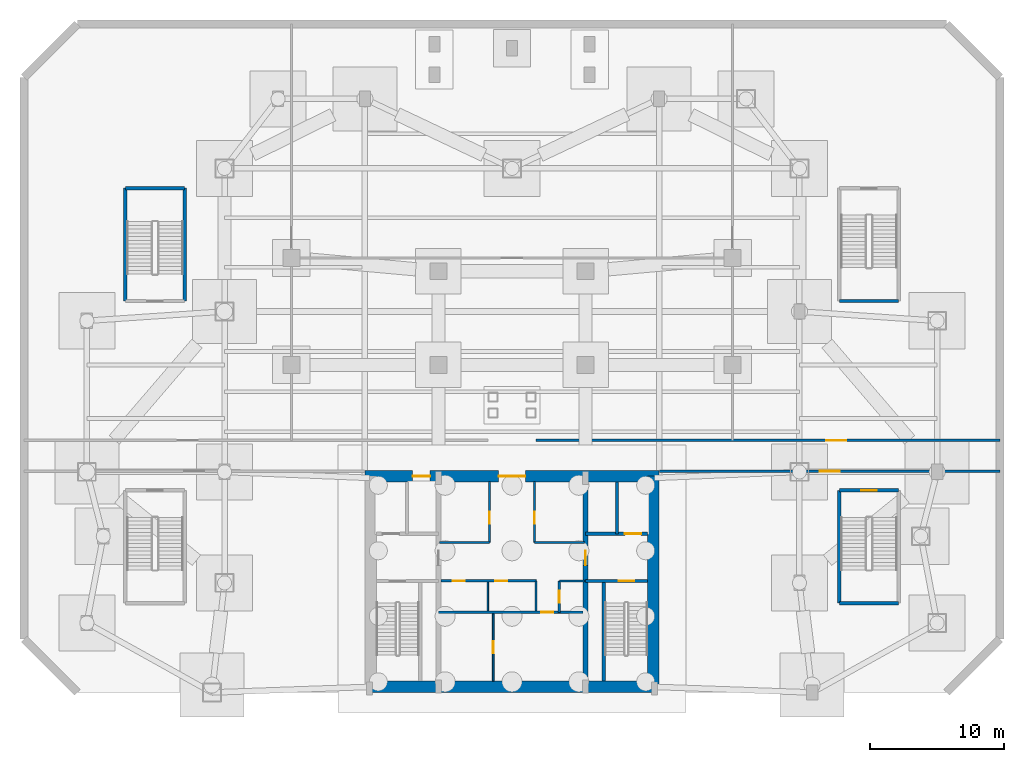
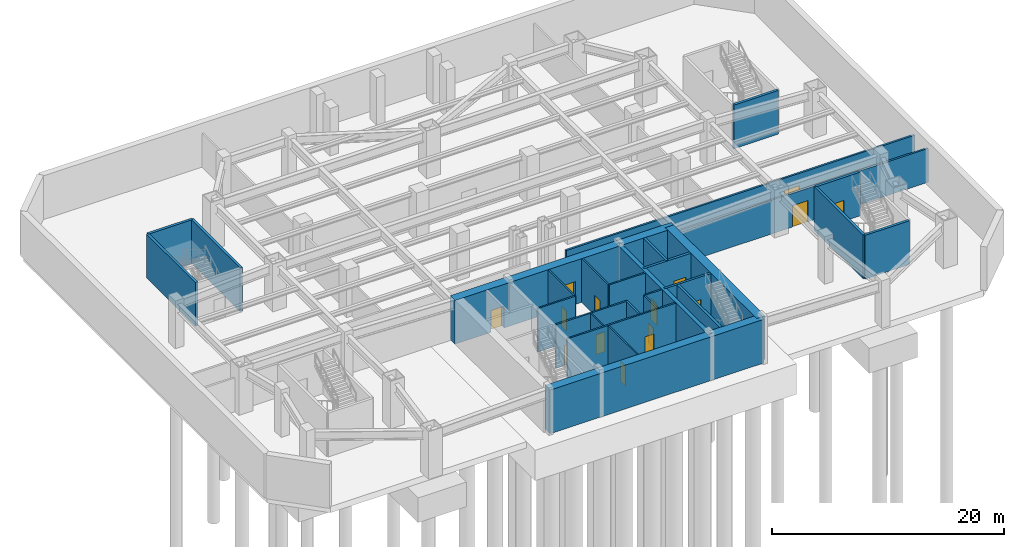
# One storey, part 4 of 7: 28 walls, 15 doors, 15 openings.
"""IFC4 building model written with IfcOpenShell, lengths in metres."""

from ifc_helpers import new_model, si_unit, direction, frame, frame_2d, origin, place, context, subcontext, project, spatial, rectangle, extrude, source, transform, mapped, material, layer, layer_set, type_object, type_shapes, element, fill, save


model = new_model("IFC4")

# Units and contexts
model_context = context("Model", 3, precision=1e-05, world=origin(), true_north=direction((0.0, 1.0)))
body_context = subcontext(model_context, "Body", "Model", "MODEL_VIEW")
ifc_project = project(units=[si_unit("LENGTHUNIT", "METRE"), si_unit("AREAUNIT", "SQUARE_METRE"), si_unit("VOLUMEUNIT", "CUBIC_METRE"), si_unit("PLANEANGLEUNIT", "RADIAN"), si_unit("MASSUNIT", "GRAM", prefix="KILO")], contexts=[model_context])

# Site, building, storey
site_placement = place(None, origin())
site = spatial("IfcSite", under=ifc_project, at=site_placement, CompositionType="ELEMENT")
building_placement = place(site_placement, origin())
building = spatial("IfcBuilding", under=site, at=building_placement, Name="Varnakhor Terracotta Tower", CompositionType="ELEMENT")
storey_placement = place(building_placement, frame((0.0, 0.0, -10.0)))
storey = spatial("IfcBuildingStorey", under=building, at=storey_placement, Name="B02", CompositionType="ELEMENT", Elevation=-10.0)

# Wall
ifc_material_1 = material(Name="Concrete C60/75", Category="concrete")
ifc_layer_1 = layer(ifc_material_1, 0.85009765625, Name="Concrete C60/75")
ifc_layer_set_1 = layer_set([ifc_layer_1], Name="Concrete C60/75")
wall_type_1 = type_object("IfcWallType", Name="WAL-CORE-850", PredefinedType="SHEAR", material=ifc_layer_set_1)
wall_1_placement = place(storey_placement, frame((-10.64990234375, 0.425048828125, 0.0), z_axis=(0.0, 0.0, 1.0), x_axis=(1.0, 0.0, 0.0)))
element("IfcWall", 1, at=wall_1_placement, inside=storey, type_object=wall_type_1, Name="B02 South Core Shear Wall", PredefinedType="SHEAR", context=body_context, shape_type="SweptSolid", body=[
    extrude(rectangle(XDim=21.2998046875, YDim=0.85009765625, at=frame_2d((10.64990234375, 0.0))), origin(), (0.0, 0.0, 1.0), 4.60009765625),
])

# Wall, openings, doors
wall_2_placement = place(storey_placement, frame((-11.0, 16.175048828125, 0.0), z_axis=(0.0, 0.0, 1.0), x_axis=(1.0, 0.0, 0.0)))
wall_2 = element("IfcWall", 2, at=wall_2_placement, inside=storey, type_object=wall_type_1, Name="B02 North Core Shear Wall", PredefinedType="SHEAR", context=body_context, shape_type="SweptSolid", body=[
    extrude(rectangle(XDim=22.0, YDim=0.85009765625, at=frame_2d((11.0, 0.0))), origin(), (0.0, 0.0, 1.0), 4.60009765625),
])
opening_1_placement = place(wall_2_placement, frame((3.570068359375, 0.0, 0.0)))
opening_1 = element("IfcOpeningElement", 3, at=opening_1_placement, cuts=wall_2, Name="Opening LD-03", PredefinedType="OPENING", context=body_context, shape_type="SweptSolid", body=[
    extrude(rectangle(XDim=1.300048828125, YDim=2.300048828125, at=frame_2d((0.64990234375, 1.14990234375))), frame((0.0, 0.43505859375, 0.0), z_axis=(0.0, -1.0, 0.0), x_axis=(1.0, 0.0, 0.0)), (0.0, 0.0, 1.0), 0.8701171875),
])
opening_2_placement = place(wall_2_placement, frame((10.0, 0.0, 0.0)))
opening_2 = element("IfcOpeningElement", 4, at=opening_2_placement, cuts=wall_2, Name="Opening DR-32", PredefinedType="OPENING", context=body_context, shape_type="SweptSolid", body=[
    extrude(rectangle(XDim=2.0, YDim=2.39990234375, at=frame_2d((1.0, 1.199951171875))), frame((0.0, 0.43505859375, 0.0), z_axis=(0.0, -1.0, 0.0), x_axis=(1.0, 0.0, 0.0)), (0.0, 0.0, 1.0), 0.8701171875),
])
ifc_material_2 = material(Name="Heavy-Duty Goods Sliding Lift Landing Door", Category="steel")
door_type_1 = type_object("IfcDoorType", Name="LD-SRV-1300X2300", OperationType="NOTDEFINED", PredefinedType="DOOR", material=ifc_material_2)
shared_shape_1 = source(origin(), body_context, "Body", "SweptSolid", [
    extrude(rectangle(XDim=1.300048828125, YDim=2.300048828125, at=frame_2d((0.64990234375, 1.14990234375))), frame((0.0, 0.02490234375, 0.0), z_axis=(0.0, -1.0, 0.0), x_axis=(1.0, 0.0, 0.0)), (0.0, 0.0, 1.0), 0.050048828125),
])
type_shapes(door_type_1, [shared_shape_1])
door_1_placement = place(opening_1_placement, origin())
door_1 = element("IfcDoor", 5, at=door_1_placement, inside=storey, type_object=door_type_1, Name="B02 Service Lift SVL-1 Landing Door", OperationType="SLIDING_TO_RIGHT", OverallHeight=2.300048828125, OverallWidth=1.300048828125, PredefinedType="DOOR", context=body_context, shape_type="MappedRepresentation", body=[
    mapped(shared_shape_1, transform((0.0, 0.0, 0.0), scale=1.0)),
])
fill(opening_1, door_1)
ifc_material_3 = material(Name="Acoustic Double Assembly Fire Door", Category="wood")
door_type_2 = type_object("IfcDoorType", Name="DR-HALL-2000X2400", OperationType="NOTDEFINED", PredefinedType="DOOR", material=ifc_material_3)
shared_shape_2 = source(origin(), body_context, "Body", "SweptSolid", [
    extrude(rectangle(XDim=2.0, YDim=2.39990234375, at=frame_2d((1.0, 1.199951171875))), frame((0.0, 0.02490234375, 0.0), z_axis=(0.0, -1.0, 0.0), x_axis=(1.0, 0.0, 0.0)), (0.0, 0.0, 1.0), 0.050048828125),
])
type_shapes(door_type_2, [shared_shape_2])
door_2_placement = place(opening_2_placement, origin())
door_2 = element("IfcDoor", 6, at=door_2_placement, inside=storey, type_object=door_type_2, Name="B02 Core Main Lobby Double Door", OperationType="DOUBLE_DOOR_SINGLE_SWING", OverallHeight=2.39990234375, OverallWidth=2.0, PredefinedType="DOOR", context=body_context, shape_type="MappedRepresentation", body=[
    mapped(shared_shape_2, transform((0.0, 0.0, 0.0), scale=1.0)),
])
fill(opening_2, door_2)

# Wall
wall_3_placement = place(storey_placement, frame((10.574951171875, 0.425048828125, 0.0), z_axis=(0.0, 0.0, 1.0), x_axis=(0.0, 1.0, 0.0)))
element("IfcWall", 7, at=wall_3_placement, inside=storey, type_object=wall_type_1, Name="B02 East Core Shear Wall", PredefinedType="SHEAR", context=body_context, shape_type="SweptSolid", body=[
    extrude(rectangle(XDim=15.75, YDim=0.85009765625, at=frame_2d((7.875, 0.0))), origin(), (0.0, 0.0, 1.0), 4.60009765625),
])

# Wall, opening, door
ifc_material_4 = material(Name="Concrete C50/60", Category="concrete")
ifc_layer_2 = layer(ifc_material_4, 0.39990234375, Name="Concrete C50/60")
ifc_layer_set_2 = layer_set([ifc_layer_2], Name="Concrete C50/60")
wall_type_2 = type_object("IfcWallType", Name="WAL-CORE-WEB-400", PredefinedType="SHEAR", material=ifc_layer_set_2)
wall_4_placement = place(storey_placement, frame((5.5, 0.425048828125, 0.0), z_axis=(0.0, 0.0, 1.0), x_axis=(0.0, 1.0, 0.0)))
wall_4 = element("IfcWall", 8, at=wall_4_placement, inside=storey, type_object=wall_type_2, Name="B02 East Core Web Shear Wall", PredefinedType="SHEAR", context=body_context, shape_type="SweptSolid", body=[
    extrude(rectangle(XDim=15.75, YDim=0.39990234375, at=frame_2d((7.875, 0.0))), origin(), (0.0, 0.0, 1.0), 4.60009765625),
])
opening_3_placement = place(wall_4_placement, frame((9.074951171875, 0.0, 0.0)))
opening_3 = element("IfcOpeningElement", 9, at=opening_3_placement, cuts=wall_4, Name="Opening DR-25", PredefinedType="OPENING", context=body_context, shape_type="SweptSolid", body=[
    extrude(rectangle(XDim=1.10009765625, YDim=2.199951171875, at=frame_2d((0.550048828125, 1.10009765625))), frame((0.0, 0.2099609375, 0.0), z_axis=(0.0, -1.0, 0.0), x_axis=(1.0, 0.0, 0.0)), (0.0, 0.0, 1.0), 0.419921875),
])
ifc_material_5 = material(Name="Firefighting Lobby Self-Closing Fire Door", Category="steel")
door_type_3 = type_object("IfcDoorType", Name="DR-FFL-1100X2200", OperationType="NOTDEFINED", PredefinedType="DOOR", material=ifc_material_5)
shared_shape_3 = source(origin(), body_context, "Body", "SweptSolid", [
    extrude(rectangle(XDim=1.10009765625, YDim=2.199951171875, at=frame_2d((0.550048828125, 1.10009765625))), frame((0.0, 0.02490234375, 0.0), z_axis=(0.0, -1.0, 0.0), x_axis=(1.0, 0.0, 0.0)), (0.0, 0.0, 1.0), 0.050048828125),
])
type_shapes(door_type_3, [shared_shape_3])
door_3_placement = place(opening_3_placement, origin())
door_3 = element("IfcDoor", 10, at=door_3_placement, inside=storey, type_object=door_type_3, Name="B02 East Firefighting Lobby Door", OperationType="SINGLE_SWING_RIGHT", OverallHeight=2.199951171875, OverallWidth=1.10009765625, PredefinedType="DOOR", context=body_context, shape_type="MappedRepresentation", body=[
    mapped(shared_shape_3, transform((0.0, 0.0, 0.0), scale=1.0)),
])
fill(opening_3, door_3)

ifc_material_6 = material(Name="Fire-Rated Gypsum Stud Partition", Category="gypsum")
ifc_layer_3 = layer(ifc_material_6, 0.18505859375, Name="Fire-Rated Gypsum Stud Partition")
ifc_layer_set_3 = layer_set([ifc_layer_3], Name="Fire-Rated Gypsum Stud Partition")
wall_type_3 = type_object("IfcWallType", Name="WAL-CORR-185", PredefinedType="PARTITIONING", material=ifc_layer_set_3)
wall_5_placement = place(storey_placement, frame((11.02001953125, 16.550048828125, 0.0), z_axis=(0.0, 0.0, 1.0), x_axis=(1.0, 0.0, 0.0)))
wall_5 = element("IfcWall", 11, at=wall_5_placement, inside=storey, type_object=wall_type_3, Name="B02 East Plant Corridor Wall", PredefinedType="PARTITIONING", context=body_context, shape_type="SweptSolid", body=[
    extrude(rectangle(XDim=25.469970703125, YDim=0.18505859375, at=frame_2d((12.73486328125, 0.0))), origin(), (0.0, 0.0, 1.0), 3.552001953125),
])
opening_4_placement = place(wall_5_placement, frame((11.985107421875, 0.0, 0.0)))
opening_4 = element("IfcOpeningElement", 12, at=opening_4_placement, cuts=wall_5, Name="Opening DR-30", PredefinedType="OPENING", context=body_context, shape_type="SweptSolid", body=[
    extrude(rectangle(XDim=1.5, YDim=2.25, at=frame_2d((0.75, 1.125))), frame((0.0, 0.1025390625, 0.0), z_axis=(0.0, -1.0, 0.0), x_axis=(1.0, 0.0, 0.0)), (0.0, 0.0, 1.0), 0.205078125),
])
ifc_material_7 = material(Name="Double Acoustic Conference Room Door", Category="wood")
door_type_4 = type_object("IfcDoorType", Name="DR-MEET-1500X2250", OperationType="NOTDEFINED", PredefinedType="DOOR", material=ifc_material_7)
shared_shape_4 = source(origin(), body_context, "Body", "SweptSolid", [
    extrude(rectangle(XDim=1.5, YDim=2.25, at=frame_2d((0.75, 1.125))), frame((0.0, 0.02490234375, 0.0), z_axis=(0.0, -1.0, 0.0), x_axis=(1.0, 0.0, 0.0)), (0.0, 0.0, 1.0), 0.050048828125),
])
type_shapes(door_type_4, [shared_shape_4])
door_4_placement = place(opening_4_placement, origin())
door_4 = element("IfcDoor", 13, at=door_4_placement, inside=storey, type_object=door_type_4, Name="B02 SE Plant Door", OperationType="DOUBLE_DOOR_SINGLE_SWING", OverallHeight=2.25, OverallWidth=1.5, PredefinedType="DOOR", context=body_context, shape_type="MappedRepresentation", body=[
    mapped(shared_shape_4, transform((0.0, 0.0, 0.0), scale=1.0)),
])
fill(opening_4, door_4)

wall_6_placement = place(storey_placement, frame((1.800048828125, 18.85009765625, 0.0), z_axis=(0.0, 0.0, 1.0), x_axis=(1.0, 0.0, 0.0)))
wall_6 = element("IfcWall", 14, at=wall_6_placement, inside=storey, type_object=wall_type_3, Name="B02 Corridor North East Wall", PredefinedType="PARTITIONING", context=body_context, shape_type="SweptSolid", body=[
    extrude(rectangle(XDim=34.68994140625, YDim=0.18505859375, at=frame_2d((17.344970703125, 0.0))), origin(), (0.0, 0.0, 1.0), 3.552001953125),
])
opening_5_placement = place(wall_6_placement, frame((21.696533203125, 0.0, 0.0)))
opening_5 = element("IfcOpeningElement", 15, at=opening_5_placement, cuts=wall_6, Name="Opening DR-30", PredefinedType="OPENING", context=body_context, shape_type="SweptSolid", body=[
    extrude(rectangle(XDim=1.5, YDim=2.25, at=frame_2d((0.75, 1.125))), frame((0.0, 0.1025390625, 0.0), z_axis=(0.0, -1.0, 0.0), x_axis=(1.0, 0.0, 0.0)), (0.0, 0.0, 1.0), 0.205078125),
])
door_5_placement = place(opening_5_placement, origin())
door_5 = element("IfcDoor", 16, at=door_5_placement, inside=storey, type_object=door_type_4, Name="B02 East Hall Door", OperationType="DOUBLE_DOOR_SINGLE_SWING", OverallHeight=2.25, OverallWidth=1.5, PredefinedType="DOOR", context=body_context, shape_type="MappedRepresentation", body=[
    mapped(shared_shape_4, transform((0.0, 0.0, 0.0), scale=1.0)),
])
fill(opening_5, door_5)

ifc_material_8 = material(Name="Concrete C40/50", Category="concrete")
ifc_layer_4 = layer(ifc_material_8, 0.219970703125, Name="Concrete C40/50")
ifc_layer_set_4 = layer_set([ifc_layer_4], Name="Concrete C40/50")
wall_type_4 = type_object("IfcWallType", Name="WAL-FFLOBBY-220", PredefinedType="SOLIDWALL", material=ifc_layer_set_4)
wall_7_placement = place(storey_placement, frame((10.14990234375, 8.35009765625, 0.0), z_axis=(0.0, 0.0, 1.0), x_axis=(-1.0, 0.0, 0.0)))
wall_7 = element("IfcWall", 17, at=wall_7_placement, inside=storey, type_object=wall_type_4, Name="B02 East Firefighting Lobby Stair Wall", PredefinedType="SOLIDWALL", context=body_context, shape_type="SweptSolid", body=[
    extrude(rectangle(XDim=4.64990234375, YDim=0.219970703125, at=frame_2d((2.324951171875, 0.0))), origin(), (0.0, 0.0, 1.0), 4.60009765625),
])
opening_6_placement = place(wall_7_placement, frame((1.0, 0.0, 0.0)))
opening_6 = element("IfcOpeningElement", 18, at=opening_6_placement, cuts=wall_7, Name="Opening DR-34", PredefinedType="OPENING", context=body_context, shape_type="SweptSolid", body=[
    extrude(rectangle(XDim=1.14990234375, YDim=2.199951171875, at=frame_2d((0.574951171875, 1.10009765625))), frame((0.0, 0.1201171875, 0.0), z_axis=(0.0, -1.0, 0.0), x_axis=(1.0, 0.0, 0.0)), (0.0, 0.0, 1.0), 0.239990234375),
])
ifc_material_9 = material(Name="Self-Closing Smoke-Sealed Steel Fire Door", Category="steel")
door_type_5 = type_object("IfcDoorType", Name="DR-STAIR-1150X2200", OperationType="NOTDEFINED", PredefinedType="DOOR", material=ifc_material_9)
shared_shape_5 = source(origin(), body_context, "Body", "SweptSolid", [
    extrude(rectangle(XDim=1.14990234375, YDim=2.199951171875, at=frame_2d((0.574951171875, 1.10009765625))), frame((0.0, 0.02490234375, 0.0), z_axis=(0.0, -1.0, 0.0), x_axis=(1.0, 0.0, 0.0)), (0.0, 0.0, 1.0), 0.050048828125),
])
type_shapes(door_type_5, [shared_shape_5])
door_6_placement = place(opening_6_placement, origin())
door_6 = element("IfcDoor", 19, at=door_6_placement, inside=storey, type_object=door_type_5, Name="B02 Exit Stair ST-2 Fire Door", OperationType="SINGLE_SWING_LEFT", OverallHeight=2.199951171875, OverallWidth=1.14990234375, PredefinedType="DOOR", context=body_context, shape_type="MappedRepresentation", body=[
    mapped(shared_shape_5, transform((0.0, 0.0, 0.0), scale=1.0)),
])
fill(opening_6, door_6)

# Walls
ifc_layer_5 = layer(ifc_material_8, 0.219970703125, Name="Concrete C40/50")
ifc_layer_set_5 = layer_set([ifc_layer_5], Name="Concrete C40/50")
wall_type_5 = type_object("IfcWallType", Name="WAL-SHAFT-220", PredefinedType="SOLIDWALL", material=ifc_layer_set_5)
wall_8_placement = place(storey_placement, frame((7.840087890625, 11.8701171875, 0.0), z_axis=(0.0, 0.0, 1.0), x_axis=(0.0, 1.0, 0.0)))
element("IfcWall", 20, at=wall_8_placement, inside=storey, type_object=wall_type_5, Name="B02 Lift FFL-2 and Riser Divider Wall", PredefinedType="SOLIDWALL", context=body_context, shape_type="SweptSolid", body=[
    extrude(rectangle(XDim=3.8798828125, YDim=0.219970703125, at=frame_2d((1.93994140625, 0.0))), origin(), (0.0, 0.0, 1.0), 4.60009765625),
])
ifc_layer_6 = layer(ifc_material_8, 0.25, Name="Concrete C40/50")
ifc_layer_set_6 = layer_set([ifc_layer_6], Name="Concrete C40/50")
wall_type_6 = type_object("IfcWallType", Name="WAL-SHAFT-250", PredefinedType="SOLIDWALL", material=ifc_layer_set_6)
wall_9_placement = place(storey_placement, frame((6.85009765625, 0.85009765625, 0.0), z_axis=(0.0, 0.0, 1.0), x_axis=(0.0, 1.0, 0.0)))
element("IfcWall", 21, at=wall_9_placement, inside=storey, type_object=wall_type_6, Name="B02 Stair ST-2 Bearing Shaft Wall", PredefinedType="SOLIDWALL", context=body_context, shape_type="SweptSolid", body=[
    extrude(rectangle(XDim=7.5, YDim=0.25, at=frame_2d((3.75, 0.0))), origin(), (0.0, 0.0, 1.0), 4.60009765625),
])

# Wall, opening, door
wall_10_placement = place(storey_placement, frame((10.14990234375, 11.8701171875, 0.0), z_axis=(0.0, 0.0, 1.0), x_axis=(-1.0, 0.0, 0.0)))
wall_10 = element("IfcWall", 22, at=wall_10_placement, inside=storey, type_object=wall_type_6, Name="B02 Lift FFL-2 Shaft Front Wall", PredefinedType="SOLIDWALL", context=body_context, shape_type="SweptSolid", body=[
    extrude(rectangle(XDim=4.64990234375, YDim=0.25, at=frame_2d((2.324951171875, 0.0))), origin(), (0.0, 0.0, 1.0), 4.60009765625),
])
opening_7_placement = place(wall_10_placement, frame((0.5, 0.0, 0.0)))
opening_7 = element("IfcOpeningElement", 23, at=opening_7_placement, cuts=wall_10, Name="Opening LD-02", PredefinedType="OPENING", context=body_context, shape_type="SweptSolid", body=[
    extrude(rectangle(XDim=1.199951171875, YDim=2.25, at=frame_2d((0.60009765625, 1.125))), frame((0.0, 0.135009765625, 0.0), z_axis=(0.0, -1.0, 0.0), x_axis=(1.0, 0.0, 0.0)), (0.0, 0.0, 1.0), 0.27001953125),
])
ifc_material_10 = material(Name="Firefighting Stretcher Sliding Lift Landing Door", Category="steel")
door_type_6 = type_object("IfcDoorType", Name="LD-FFL-1200X2250", OperationType="NOTDEFINED", PredefinedType="DOOR", material=ifc_material_10)
shared_shape_6 = source(origin(), body_context, "Body", "SweptSolid", [
    extrude(rectangle(XDim=1.199951171875, YDim=2.25, at=frame_2d((0.60009765625, 1.125))), frame((0.0, 0.02490234375, 0.0), z_axis=(0.0, -1.0, 0.0), x_axis=(1.0, 0.0, 0.0)), (0.0, 0.0, 1.0), 0.050048828125),
])
type_shapes(door_type_6, [shared_shape_6])
door_7_placement = place(opening_7_placement, origin())
door_7 = element("IfcDoor", 24, at=door_7_placement, inside=storey, type_object=door_type_6, Name="B02 Firefighting Lift FFL-2 Landing Door", OperationType="SLIDING_TO_RIGHT", OverallHeight=2.25, OverallWidth=1.199951171875, PredefinedType="DOOR", context=body_context, shape_type="MappedRepresentation", body=[
    mapped(shared_shape_6, transform((0.0, 0.0, 0.0), scale=1.0)),
])
fill(opening_7, door_7)

# Walls
wall_11_placement = place(storey_placement, frame((24.47998046875, 6.679931640625, 0.0), z_axis=(0.0, 0.0, 1.0), x_axis=(0.0, 1.0, 0.0)))
element("IfcWall", 25, at=wall_11_placement, inside=storey, type_object=wall_type_6, Name="B02 ST-P2 Bearing Shaft Wall W", PredefinedType="SOLIDWALL", context=body_context, shape_type="SweptSolid", body=[
    extrude(rectangle(XDim=8.440185546875, YDim=0.25, at=frame_2d((4.22021484375, 0.0))), origin(), (0.0, 0.0, 1.0), 4.60009765625),
])
wall_12_placement = place(storey_placement, frame((24.47998046875, 6.679931640625, 0.0), z_axis=(0.0, 0.0, 1.0), x_axis=(1.0, 0.0, 0.0)))
element("IfcWall", 26, at=wall_12_placement, inside=storey, type_object=wall_type_6, Name="B02 ST-P2 Bearing Shaft Wall S", PredefinedType="SOLIDWALL", context=body_context, shape_type="SweptSolid", body=[
    extrude(rectangle(XDim=4.43994140625, YDim=0.25, at=frame_2d((2.219970703125, 0.0))), origin(), (0.0, 0.0, 1.0), 4.60009765625),
])

# Wall, opening, door
wall_13_placement = place(storey_placement, frame((28.919921875, 15.1201171875, 0.0), z_axis=(0.0, 0.0, 1.0), x_axis=(-1.0, 0.0, 0.0)))
wall_13 = element("IfcWall", 27, at=wall_13_placement, inside=storey, type_object=wall_type_6, Name="B02 ST-P2 Bearing Shaft Wall N", PredefinedType="SOLIDWALL", context=body_context, shape_type="SweptSolid", body=[
    extrude(rectangle(XDim=4.43994140625, YDim=0.25, at=frame_2d((2.219970703125, 0.0))), origin(), (0.0, 0.0, 1.0), 4.60009765625),
])
opening_8_placement = place(wall_13_placement, frame((1.64501953125, 0.0, 0.0)))
opening_8 = element("IfcOpeningElement", 28, at=opening_8_placement, cuts=wall_13, Name="Opening DR-34", PredefinedType="OPENING", context=body_context, shape_type="SweptSolid", body=[
    extrude(rectangle(XDim=1.14990234375, YDim=2.199951171875, at=frame_2d((0.574951171875, 1.10009765625))), frame((0.0, 0.135009765625, 0.0), z_axis=(0.0, -1.0, 0.0), x_axis=(1.0, 0.0, 0.0)), (0.0, 0.0, 1.0), 0.27001953125),
])
door_8_placement = place(opening_8_placement, origin())
door_8 = element("IfcDoor", 29, at=door_8_placement, inside=storey, type_object=door_type_5, Name="B02 Exit Stair ST-P2 Fire Door", OperationType="SINGLE_SWING_LEFT", OverallHeight=2.199951171875, OverallWidth=1.14990234375, PredefinedType="DOOR", context=body_context, shape_type="MappedRepresentation", body=[
    mapped(shared_shape_5, transform((0.0, 0.0, 0.0), scale=1.0)),
])
fill(opening_8, door_8)

# Walls
for number, where, z_axis, x_axis, name in (
    (30, (-28.919921875, 29.280029296875, 0.0), (0.0, 0.0, 1.0), (0.0, 1.0, 0.0), "B02 ST-P3 Bearing Shaft Wall W"),
    (31, (-24.47998046875, 29.280029296875, 0.0), (0.0, 0.0, 1.0), (0.0, 1.0, 0.0), "B02 ST-P3 Bearing Shaft Wall E"),
):
    element("IfcWall", number, at=place(storey_placement, frame(where, z_axis=z_axis, x_axis=x_axis)), inside=storey, type_object=wall_type_6, Name=name, PredefinedType="SOLIDWALL", context=body_context, shape_type="SweptSolid", body=[
        extrude(rectangle(XDim=8.43994140625, YDim=0.25, at=frame_2d((4.219970703125, 0.0))), origin(), (0.0, 0.0, 1.0), 4.60009765625),
    ])
for number, where, z_axis, x_axis, name in (
    (32, (-24.47998046875, 37.719970703125, 0.0), (0.0, 0.0, 1.0), (-1.0, 0.0, 0.0), "B02 ST-P3 Bearing Shaft Wall N"),
    (33, (24.47998046875, 29.280029296875, 0.0), (0.0, 0.0, 1.0), (1.0, 0.0, 0.0), "B02 ST-P4 Bearing Shaft Wall S"),
):
    element("IfcWall", number, at=place(storey_placement, frame(where, z_axis=z_axis, x_axis=x_axis)), inside=storey, type_object=wall_type_6, Name=name, PredefinedType="SOLIDWALL", context=body_context, shape_type="SweptSolid", body=[
        extrude(rectangle(XDim=4.43994140625, YDim=0.25, at=frame_2d((2.219970703125, 0.0))), origin(), (0.0, 0.0, 1.0), 4.60009765625),
    ])
ifc_material_11 = material(Name="Acoustic Fire-Rated Partition", Category="gypsum")
ifc_layer_7 = layer(ifc_material_11, 0.114990234375, Name="Acoustic Fire-Rated Partition")
ifc_layer_set_7 = layer_set([ifc_layer_7], Name="Acoustic Fire-Rated Partition")
wall_type_7 = type_object("IfcWallType", Name="WAL-TENANCY-115", PredefinedType="PARTITIONING", material=ifc_layer_set_7)
wall_14_placement = place(storey_placement, frame((-1.800048828125, 6.10009765625, 0.0), z_axis=(0.0, 0.0, 1.0), x_axis=(0.0, 1.0, 0.0)))
element("IfcWall", 34, at=wall_14_placement, inside=storey, type_object=wall_type_7, Name="B02 Reclaimed Mid-Core Split Wall", PredefinedType="PARTITIONING", context=body_context, shape_type="SweptSolid", body=[
    extrude(rectangle(XDim=2.14990234375, YDim=0.114990234375, at=frame_2d((1.074951171875, 0.0))), origin(), (0.0, 0.0, 1.0), 4.592041015625),
])

# Wall, opening, door
ifc_layer_8 = layer(ifc_material_11, 0.139892578125, Name="Acoustic Fire-Rated Partition")
ifc_layer_set_8 = layer_set([ifc_layer_8], Name="Acoustic Fire-Rated Partition")
wall_type_8 = type_object("IfcWallType", Name="WAL-TENANCY-140", PredefinedType="PARTITIONING", material=ifc_layer_set_8)
wall_15_placement = place(storey_placement, frame((-1.39990234375, 0.85009765625, 0.0), z_axis=(0.0, 0.0, 1.0), x_axis=(0.0, 1.0, 0.0)))
wall_15 = element("IfcWall", 35, at=wall_15_placement, inside=storey, type_object=wall_type_8, Name="B02 Reclaimed Core Bay Split Wall", PredefinedType="PARTITIONING", context=body_context, shape_type="SweptSolid", body=[
    extrude(rectangle(XDim=5.02978515625, YDim=0.139892578125, at=frame_2d((2.514892578125, 0.0))), origin(), (0.0, 0.0, 1.0), 4.592041015625),
])
opening_9_placement = place(wall_15_placement, frame((2.10009765625, 0.0, 0.0)))
opening_9 = element("IfcOpeningElement", 36, at=opening_9_placement, cuts=wall_15, Name="Opening DR-67", PredefinedType="OPENING", context=body_context, shape_type="SweptSolid", body=[
    extrude(rectangle(XDim=0.89990234375, YDim=2.10009765625, at=frame_2d((0.449951171875, 1.050048828125))), frame((0.0, 0.080078125, 0.0), z_axis=(0.0, -1.0, 0.0), x_axis=(1.0, 0.0, 0.0)), (0.0, 0.0, 1.0), 0.159912109375),
])
ifc_material_12 = material(Name="Steel Service Riser Fire Door", Category="steel")
door_type_7 = type_object("IfcDoorType", Name="DR-RISER-900X2100", OperationType="NOTDEFINED", PredefinedType="DOOR", material=ifc_material_12)
shared_shape_7 = source(origin(), body_context, "Body", "SweptSolid", [
    extrude(rectangle(XDim=0.89990234375, YDim=2.10009765625, at=frame_2d((0.449951171875, 1.050048828125))), frame((0.0, 0.02490234375, 0.0), z_axis=(0.0, -1.0, 0.0), x_axis=(1.0, 0.0, 0.0)), (0.0, 0.0, 1.0), 0.050048828125),
])
type_shapes(door_type_7, [shared_shape_7])
door_9_placement = place(opening_9_placement, origin())
door_9 = element("IfcDoor", 37, at=door_9_placement, inside=storey, type_object=door_type_7, Name="B02 Core Inner Service Door", OperationType="SINGLE_SWING_RIGHT", OverallHeight=2.10009765625, OverallWidth=0.89990234375, PredefinedType="DOOR", context=body_context, shape_type="MappedRepresentation", body=[
    mapped(shared_shape_7, transform((0.0, 0.0, 0.0), scale=1.0)),
])
fill(opening_9, door_9)

ifc_layer_9 = layer(ifc_material_11, 0.1650390625, Name="Acoustic Fire-Rated Partition")
ifc_layer_set_9 = layer_set([ifc_layer_9], Name="Acoustic Fire-Rated Partition")
wall_type_9 = type_object("IfcWallType", Name="WAL-TENANCY-165", PredefinedType="PARTITIONING", material=ifc_layer_set_9)
wall_16_placement = place(storey_placement, frame((-5.5, 6.0, 0.0), z_axis=(0.0, 0.0, 1.0), x_axis=(1.0, 0.0, 0.0)))
wall_16 = element("IfcWall", 38, at=wall_16_placement, inside=storey, type_object=wall_type_9, Name="B02 Reclaimed Core Bay North Rated Wall", PredefinedType="PARTITIONING", context=body_context, shape_type="SweptSolid", body=[
    extrude(rectangle(XDim=10.800048828125, YDim=0.1650390625, at=frame_2d((5.39990234375, 0.0))), origin(), (0.0, 0.0, 1.0), 4.592041015625),
])
opening_10_placement = place(wall_16_placement, frame((7.699951171875, 0.0, 0.0)))
opening_10 = element("IfcOpeningElement", 39, at=opening_10_placement, cuts=wall_16, Name="Opening DR-67", PredefinedType="OPENING", context=body_context, shape_type="SweptSolid", body=[
    extrude(rectangle(XDim=0.89990234375, YDim=2.10009765625, at=frame_2d((0.449951171875, 1.050048828125))), frame((0.0, 0.092529296875, 0.0), z_axis=(0.0, -1.0, 0.0), x_axis=(1.0, 0.0, 0.0)), (0.0, 0.0, 1.0), 0.18505859375),
])
door_10_placement = place(opening_10_placement, origin())
door_10 = element("IfcDoor", 40, at=door_10_placement, inside=storey, type_object=door_type_7, Name="B02 Core Reclaimed Suite Door", OperationType="SINGLE_SWING_LEFT", OverallHeight=2.10009765625, OverallWidth=0.89990234375, PredefinedType="DOOR", context=body_context, shape_type="MappedRepresentation", body=[
    mapped(shared_shape_7, transform((0.0, 0.0, 0.0), scale=1.0)),
])
fill(opening_10, door_10)

wall_17_placement = place(storey_placement, frame((3.5400390625, 6.0, 0.0), z_axis=(0.0, 0.0, 1.0), x_axis=(0.0, 1.0, 0.0)))
wall_17 = element("IfcWall", 41, at=wall_17_placement, inside=storey, type_object=wall_type_9, Name="B02 Accessible WC Rated Wall", PredefinedType="PARTITIONING", context=body_context, shape_type="SweptSolid", body=[
    extrude(rectangle(XDim=2.340087890625, YDim=0.1650390625, at=frame_2d((1.169921875, 0.0))), origin(), (0.0, 0.0, 1.0), 4.592041015625),
])
opening_11_placement = place(wall_17_placement, frame((0.719970703125, 0.0, 0.0)))
opening_11 = element("IfcOpeningElement", 42, at=opening_11_placement, cuts=wall_17, Name="Opening DR-67", PredefinedType="OPENING", context=body_context, shape_type="SweptSolid", body=[
    extrude(rectangle(XDim=0.89990234375, YDim=2.10009765625, at=frame_2d((0.449951171875, 1.050048828125))), frame((0.0, 0.092529296875, 0.0), z_axis=(0.0, -1.0, 0.0), x_axis=(1.0, 0.0, 0.0)), (0.0, 0.0, 1.0), 0.18505859375),
])
door_11_placement = place(opening_11_placement, origin())
door_11 = element("IfcDoor", 43, at=door_11_placement, inside=storey, type_object=door_type_7, Name="B02 Accessible WC Door", OperationType="SINGLE_SWING_LEFT", OverallHeight=2.10009765625, OverallWidth=0.89990234375, PredefinedType="DOOR", context=body_context, shape_type="MappedRepresentation", body=[
    mapped(shared_shape_7, transform((0.0, 0.0, 0.0), scale=1.0)),
])
fill(opening_11, door_11)

# Wall
wall_18_placement = place(storey_placement, frame((3.5400390625, 8.340087890625, 0.0), z_axis=(0.0, 0.0, 1.0), x_axis=(1.0, 0.0, 0.0)))
element("IfcWall", 44, at=wall_18_placement, inside=storey, type_object=wall_type_9, Name="B02 Accessible WC North Wall", PredefinedType="PARTITIONING", context=body_context, shape_type="SweptSolid", body=[
    extrude(rectangle(XDim=1.8798828125, YDim=0.1650390625, at=frame_2d((0.93994140625, 0.0))), origin(), (0.0, 0.0, 1.0), 4.592041015625),
])

# Wall, openings, doors
wall_19_placement = place(storey_placement, frame((-5.300048828125, 8.35009765625, 0.0), z_axis=(0.0, 0.0, 1.0), x_axis=(1.0, 0.0, 0.0)))
wall_19 = element("IfcWall", 45, at=wall_19_placement, inside=storey, type_object=wall_type_9, Name="B02 Reclaimed Mid-Core North Wall", PredefinedType="PARTITIONING", context=body_context, shape_type="SweptSolid", body=[
    extrude(rectangle(XDim=7.1201171875, YDim=0.1650390625, at=frame_2d((3.56005859375, 0.0))), origin(), (0.0, 0.0, 1.0), 4.592041015625),
])
opening_12_placement = place(wall_19_placement, frame((0.85009765625, 0.0, 0.0)))
opening_12 = element("IfcOpeningElement", 46, at=opening_12_placement, cuts=wall_19, Name="Opening DR-67", PredefinedType="OPENING", context=body_context, shape_type="SweptSolid", body=[
    extrude(rectangle(XDim=0.89990234375, YDim=2.10009765625, at=frame_2d((0.449951171875, 1.050048828125))), frame((0.0, 0.092529296875, 0.0), z_axis=(0.0, -1.0, 0.0), x_axis=(1.0, 0.0, 0.0)), (0.0, 0.0, 1.0), 0.18505859375),
])
opening_13_placement = place(wall_19_placement, frame((4.050048828125, 0.0, 0.0)))
opening_13 = element("IfcOpeningElement", 47, at=opening_13_placement, cuts=wall_19, Name="Opening DR-67", PredefinedType="OPENING", context=body_context, shape_type="SweptSolid", body=[
    extrude(rectangle(XDim=0.89990234375, YDim=2.10009765625, at=frame_2d((0.449951171875, 1.050048828125))), frame((0.0, 0.092529296875, 0.0), z_axis=(0.0, -1.0, 0.0), x_axis=(1.0, 0.0, 0.0)), (0.0, 0.0, 1.0), 0.18505859375),
])
door_12_placement = place(opening_12_placement, origin())
door_12 = element("IfcDoor", 48, at=door_12_placement, inside=storey, type_object=door_type_7, Name="B02 Core West Restroom Door", OperationType="SINGLE_SWING_RIGHT", OverallHeight=2.10009765625, OverallWidth=0.89990234375, PredefinedType="DOOR", context=body_context, shape_type="MappedRepresentation", body=[
    mapped(shared_shape_7, transform((0.0, 0.0, 0.0), scale=1.0)),
])
fill(opening_12, door_12)
door_13_placement = place(opening_13_placement, origin())
door_13 = element("IfcDoor", 49, at=door_13_placement, inside=storey, type_object=door_type_7, Name="B02 Core East Restroom Door", OperationType="SINGLE_SWING_LEFT", OverallHeight=2.10009765625, OverallWidth=0.89990234375, PredefinedType="DOOR", context=body_context, shape_type="MappedRepresentation", body=[
    mapped(shared_shape_7, transform((0.0, 0.0, 0.0), scale=1.0)),
])
fill(opening_13, door_13)

# Wall
wall_20_placement = place(storey_placement, frame((1.800048828125, 6.10009765625, 0.0), z_axis=(0.0, 0.0, 1.0), x_axis=(0.0, 1.0, 0.0)))
element("IfcWall", 50, at=wall_20_placement, inside=storey, type_object=wall_type_9, Name="B02 Reclaimed Mid-Core East Wall", PredefinedType="PARTITIONING", context=body_context, shape_type="SweptSolid", body=[
    extrude(rectangle(XDim=2.25, YDim=0.1650390625, at=frame_2d((1.125, 0.0))), origin(), (0.0, 0.0, 1.0), 4.592041015625),
])

# Wall, opening, door
wall_21_placement = place(storey_placement, frame((-1.679931640625, 11.219970703125, 0.0), z_axis=(0.0, 0.0, 1.0), x_axis=(0.0, 1.0, 0.0)))
wall_21 = element("IfcWall", 51, at=wall_21_placement, inside=storey, type_object=wall_type_9, Name="B02 Core North West Rated Wall", PredefinedType="PARTITIONING", context=body_context, shape_type="SweptSolid", body=[
    extrude(rectangle(XDim=4.56005859375, YDim=0.1650390625, at=frame_2d((2.280029296875, 0.0))), origin(), (0.0, 0.0, 1.0), 4.592041015625),
])
opening_14_placement = place(wall_21_placement, frame((1.39990234375, 0.0, 0.0)))
opening_14 = element("IfcOpeningElement", 52, at=opening_14_placement, cuts=wall_21, Name="Opening DR-67", PredefinedType="OPENING", context=body_context, shape_type="SweptSolid", body=[
    extrude(rectangle(XDim=0.89990234375, YDim=2.10009765625, at=frame_2d((0.449951171875, 1.050048828125))), frame((0.0, 0.092529296875, 0.0), z_axis=(0.0, -1.0, 0.0), x_axis=(1.0, 0.0, 0.0)), (0.0, 0.0, 1.0), 0.18505859375),
])
door_14_placement = place(opening_14_placement, origin())
door_14 = element("IfcDoor", 53, at=door_14_placement, inside=storey, type_object=door_type_7, Name="B02 Lift Motor Room Door", OperationType="SINGLE_SWING_RIGHT", OverallHeight=2.10009765625, OverallWidth=0.89990234375, PredefinedType="DOOR", context=body_context, shape_type="MappedRepresentation", body=[
    mapped(shared_shape_7, transform((0.0, 0.0, 0.0), scale=1.0)),
])
fill(opening_14, door_14)

# Wall
wall_22_placement = place(storey_placement, frame((-5.419921875, 11.219970703125, 0.0), z_axis=(0.0, 0.0, 1.0), x_axis=(1.0, 0.0, 0.0)))
element("IfcWall", 54, at=wall_22_placement, inside=storey, type_object=wall_type_9, Name="B02 Core North West South Wall", PredefinedType="PARTITIONING", context=body_context, shape_type="SweptSolid", body=[
    extrude(rectangle(XDim=3.739990234375, YDim=0.1650390625, at=frame_2d((1.8701171875, 0.0))), origin(), (0.0, 0.0, 1.0), 4.592041015625),
])

# Wall, opening, door
wall_23_placement = place(storey_placement, frame((1.679931640625, 11.219970703125, 0.0), z_axis=(0.0, 0.0, 1.0), x_axis=(0.0, 1.0, 0.0)))
wall_23 = element("IfcWall", 55, at=wall_23_placement, inside=storey, type_object=wall_type_9, Name="B02 Core North East Rated Wall", PredefinedType="PARTITIONING", context=body_context, shape_type="SweptSolid", body=[
    extrude(rectangle(XDim=4.56005859375, YDim=0.1650390625, at=frame_2d((2.280029296875, 0.0))), origin(), (0.0, 0.0, 1.0), 4.592041015625),
])
opening_15_placement = place(wall_23_placement, frame((1.39990234375, 0.0, 0.0)))
opening_15 = element("IfcOpeningElement", 56, at=opening_15_placement, cuts=wall_23, Name="Opening DR-67", PredefinedType="OPENING", context=body_context, shape_type="SweptSolid", body=[
    extrude(rectangle(XDim=0.89990234375, YDim=2.10009765625, at=frame_2d((0.449951171875, 1.050048828125))), frame((0.0, 0.092529296875, 0.0), z_axis=(0.0, -1.0, 0.0), x_axis=(1.0, 0.0, 0.0)), (0.0, 0.0, 1.0), 0.18505859375),
])
door_15_placement = place(opening_15_placement, origin())
door_15 = element("IfcDoor", 57, at=door_15_placement, inside=storey, type_object=door_type_7, Name="B02 Control Room Door", OperationType="SINGLE_SWING_LEFT", OverallHeight=2.10009765625, OverallWidth=0.89990234375, PredefinedType="DOOR", context=body_context, shape_type="MappedRepresentation", body=[
    mapped(shared_shape_7, transform((0.0, 0.0, 0.0), scale=1.0)),
])
fill(opening_15, door_15)

# Wall
wall_24_placement = place(storey_placement, frame((1.679931640625, 11.219970703125, 0.0), z_axis=(0.0, 0.0, 1.0), x_axis=(1.0, 0.0, 0.0)))
element("IfcWall", 58, at=wall_24_placement, inside=storey, type_object=wall_type_9, Name="B02 Core North East South Wall", PredefinedType="PARTITIONING", context=body_context, shape_type="SweptSolid", body=[
    extrude(rectangle(XDim=3.739990234375, YDim=0.1650390625, at=frame_2d((1.8701171875, 0.0))), origin(), (0.0, 0.0, 1.0), 4.592041015625),
])

save(model, "model.ifc")
